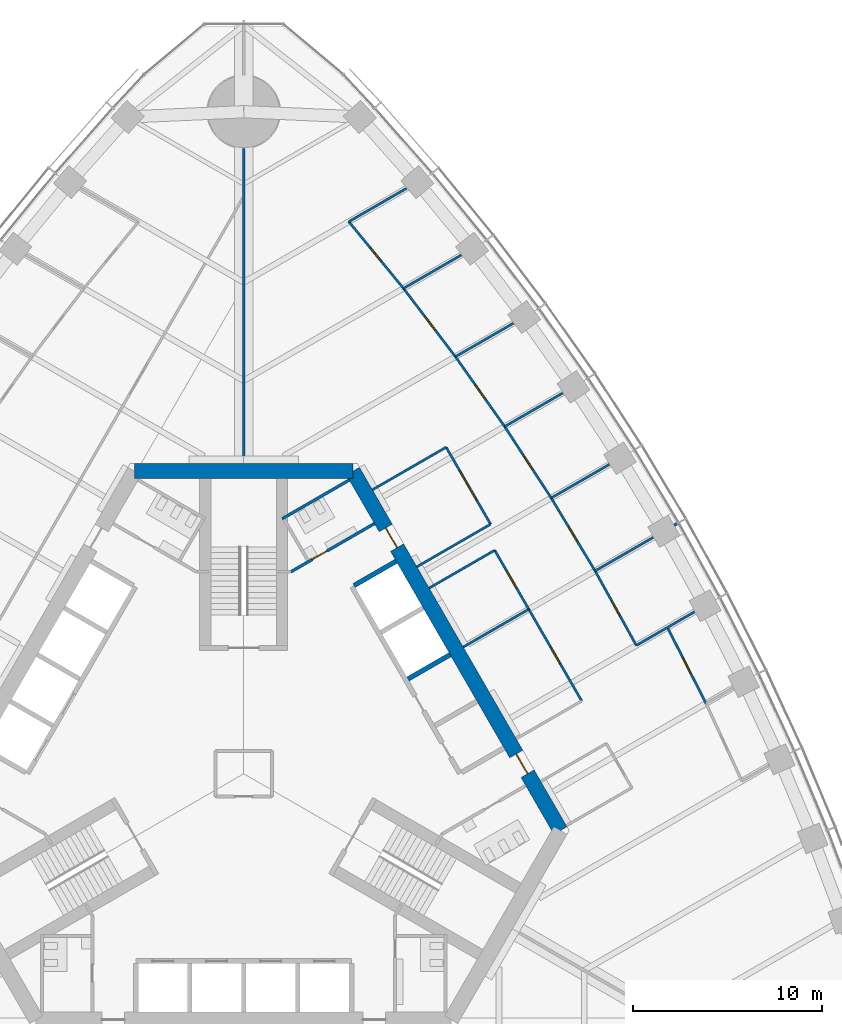
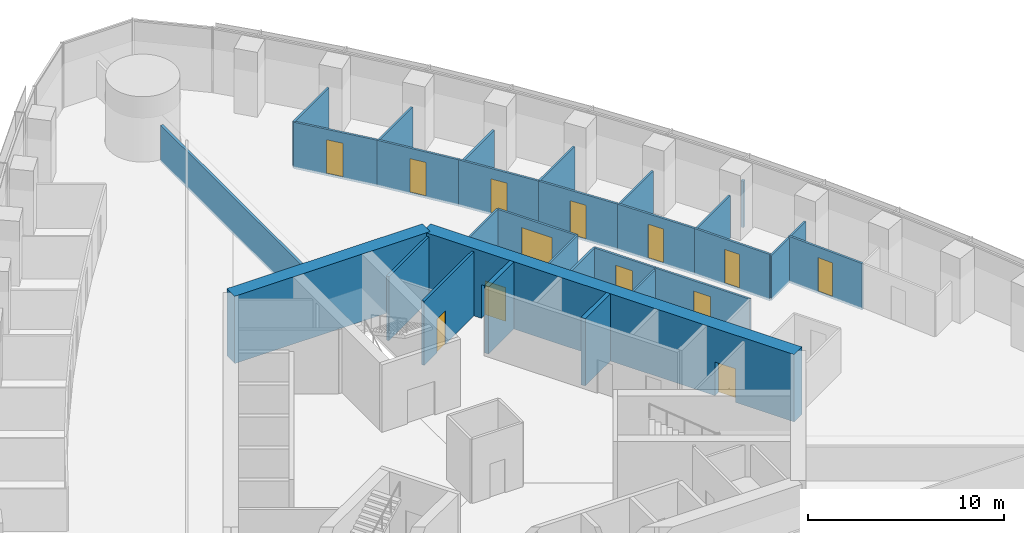
# One storey, part 15 of 21: 29 walls, 13 doors, 13 openings.
"""IFC4 building model written with IfcOpenShell, lengths in metres."""

from ifc_helpers import new_model, si_unit, direction, frame, frame_2d, origin, place, context, subcontext, project, spatial, rectangle, extrude, material, layer, layer_set, type_object, element, fill, save


model = new_model("IFC4")

# Units and contexts
model_context = context("Model", 3, precision=1e-05, world=origin(), true_north=direction((0.0, 1.0)))
body_context = subcontext(model_context, "Body", "Model", "MODEL_VIEW")
ifc_project = project(units=[si_unit("LENGTHUNIT", "METRE"), si_unit("AREAUNIT", "SQUARE_METRE"), si_unit("VOLUMEUNIT", "CUBIC_METRE"), si_unit("PLANEANGLEUNIT", "RADIAN"), si_unit("MASSUNIT", "GRAM", prefix="KILO")], contexts=[model_context])

# Site, building, storey
site_placement = place(None, origin())
site = spatial("IfcSite", under=ifc_project, at=site_placement, CompositionType="ELEMENT")
building_placement = place(site_placement, origin())
building = spatial("IfcBuilding", under=site, at=building_placement, Name="Trefoil Bronze Tower", CompositionType="ELEMENT")
storey_placement = place(building_placement, frame((0.0, 0.0, 153.5)))
storey = spatial("IfcBuildingStorey", under=building, at=storey_placement, Name="L35", CompositionType="ELEMENT", Elevation=153.5)

# Wall, openings, doors
ifc_material_1 = material(Name="Concrete B80", Category="concrete")
ifc_layer_1 = layer(ifc_material_1, 0.800048828125)
ifc_layer_set_1 = layer_set([ifc_layer_1], Name="Core wall 800")
wall_type_1 = type_object("IfcWallType", Name="Core wall 800", PredefinedType="SHEAR", material=ifc_layer_set_1)
wall_1_placement = place(storey_placement, frame((16.7431640625, -3.0, 0.0), z_axis=(0.0, 0.0, 1.0), x_axis=(-0.500002442456, 0.866023993627, 0.0)))
wall_1 = element("IfcWall", 1, at=wall_1_placement, inside=storey, type_object=wall_type_1, Name="Core long wall 2 L35", PredefinedType="SHEAR", context=body_context, shape_type="SweptSolid", body=[
    extrude(rectangle(XDim=21.939453125, YDim=0.800048828125, at=frame_2d((10.9697265625, 0.0))), origin(), (0.0, 0.0, 1.0), 4.199951171875),
])
opening_1_placement = place(wall_1_placement, frame((17.269775390625, 0.0, 0.0)))
opening_1 = element("IfcOpeningElement", 2, at=opening_1_placement, cuts=wall_1, Name="Opening D2", PredefinedType="OPENING", context=body_context, shape_type="SweptSolid", body=[
    extrude(rectangle(XDim=1.199951171875, YDim=2.10009765625, at=frame_2d((0.60009765625, 1.050048828125))), frame((0.0, 0.409912109375, 0.0), z_axis=(0.0, -1.0, 0.0), x_axis=(1.0, 0.0, 0.0)), (0.0, 0.0, 1.0), 0.820068359375),
])
opening_2_placement = place(wall_1_placement, frame((3.4697265625, 0.0, 0.0)))
opening_2 = element("IfcOpeningElement", 3, at=opening_2_placement, cuts=wall_1, Name="Opening D2", PredefinedType="OPENING", context=body_context, shape_type="SweptSolid", body=[
    extrude(rectangle(XDim=1.199951171875, YDim=2.10009765625, at=frame_2d((0.60009765625, 1.050048828125))), frame((0.0, 0.409912109375, 0.0), z_axis=(0.0, -1.0, 0.0), x_axis=(1.0, 0.0, 0.0)), (0.0, 0.0, 1.0), 0.820068359375),
])
ifc_material_2 = material(Name="Steel door", Category="steel")
door_type_1 = type_object("IfcDoorType", Name="Lobby door 1200", OperationType="SINGLE_SWING_RIGHT", PredefinedType="DOOR", material=ifc_material_2)
door_1_placement = place(opening_1_placement, origin())
door_1 = element("IfcDoor", 4, at=door_1_placement, inside=storey, type_object=door_type_1, Name="Lobby door F2+ L35", OperationType="SINGLE_SWING_RIGHT", OverallHeight=2.10009765625, OverallWidth=1.199951171875, PredefinedType="DOOR", context=body_context, shape_type="SweptSolid", body=[
    extrude(rectangle(XDim=1.199951171875, YDim=2.10009765625, at=frame_2d((0.60009765625, 1.050048828125))), frame((0.0, 0.02490234375, 0.0), z_axis=(0.0, -1.0, 0.0), x_axis=(1.0, 0.0, 0.0)), (0.0, 0.0, 1.0), 0.050048828125),
])
fill(opening_1, door_1)
door_2_placement = place(opening_2_placement, origin())
door_2 = element("IfcDoor", 5, at=door_2_placement, inside=storey, type_object=door_type_1, Name="Lobby door F2- L35", OperationType="SINGLE_SWING_LEFT", OverallHeight=2.10009765625, OverallWidth=1.199951171875, PredefinedType="DOOR", context=body_context, shape_type="SweptSolid", body=[
    extrude(rectangle(XDim=1.199951171875, YDim=2.10009765625, at=frame_2d((0.60009765625, 1.050048828125))), frame((0.0, 0.02490234375, 0.0), z_axis=(0.0, -1.0, 0.0), x_axis=(1.0, 0.0, 0.0)), (0.0, 0.0, 1.0), 0.050048828125),
])
fill(opening_2, door_2)

# Wall
wall_2_placement = place(storey_placement, frame((5.7734375, 16.0, 0.0), z_axis=(0.0, 0.0, 1.0), x_axis=(-1.0, 0.0, 0.0)))
element("IfcWall", 6, at=wall_2_placement, inside=storey, type_object=wall_type_1, Name="Core short wall 2 L35", PredefinedType="SHEAR", context=body_context, shape_type="SweptSolid", body=[
    extrude(rectangle(XDim=11.546875, YDim=0.800048828125, at=frame_2d((5.7734375, 0.0))), origin(), (0.0, 0.0, 1.0), 4.199951171875),
])

# Wall, opening, door
ifc_material_3 = material(Name="Glazed partition", Category="glass")
ifc_layer_2 = layer(ifc_material_3, 0.1201171875)
ifc_layer_set_2 = layer_set([ifc_layer_2], Name="Glazed partition 120")
wall_type_2 = type_object("IfcWallType", Name="Glazed partition 120", PredefinedType="PARTITIONING", material=ifc_layer_set_2)
wall_3_placement = place(storey_placement, frame((13.0517578125, 13.193603515625, 0.0), z_axis=(0.0, 0.0, 1.0), x_axis=(-0.499977259774, 0.866038532462, 0.0)))
wall_3 = element("IfcWall", 7, at=wall_3_placement, inside=storey, type_object=wall_type_2, Name="Partition F2 L35", PredefinedType="PARTITIONING", context=body_context, shape_type="SweptSolid", body=[
    extrude(rectangle(XDim=4.699951171875, YDim=0.1201171875, at=frame_2d((2.35009765625, 0.0))), origin(), (0.0, 0.0, 1.0), 2.89990234375),
])
opening_3_placement = place(wall_3_placement, frame((1.449951171875, 0.0, 0.14990234375)))
opening_3 = element("IfcOpeningElement", 8, at=opening_3_placement, cuts=wall_3, Name="Opening D10", PredefinedType="OPENING", context=body_context, shape_type="SweptSolid", body=[
    extrude(rectangle(XDim=1.800048828125, YDim=2.10009765625, at=frame_2d((0.89990234375, 1.050048828125))), frame((0.0, 0.070068359375, 0.0), z_axis=(0.0, -1.0, 0.0), x_axis=(1.0, 0.0, 0.0)), (0.0, 0.0, 1.0), 0.14013671875),
])
ifc_material_4 = material(Name="Timber door", Category="wood")
door_type_2 = type_object("IfcDoorType", Name="Double door 1800", OperationType="DOUBLE_DOOR_SINGLE_SWING", PredefinedType="DOOR", material=ifc_material_4)
door_3_placement = place(opening_3_placement, origin())
door_3 = element("IfcDoor", 9, at=door_3_placement, inside=storey, type_object=door_type_2, Name="Reception door F2 L35", OperationType="DOUBLE_DOOR_SINGLE_SWING", OverallHeight=2.10009765625, OverallWidth=1.800048828125, PredefinedType="DOOR", context=body_context, shape_type="SweptSolid", body=[
    extrude(rectangle(XDim=1.800048828125, YDim=2.10009765625, at=frame_2d((0.89990234375, 1.050048828125))), frame((0.0, 0.02490234375, 0.0), z_axis=(0.0, -1.0, 0.0), x_axis=(1.0, 0.0, 0.0)), (0.0, 0.0, 1.0), 0.050048828125),
])
fill(opening_3, door_3)

wall_4_placement = place(storey_placement, frame((15.06884765625, 8.699951171875, 0.0), z_axis=(0.0, 0.0, 1.0), x_axis=(-0.500012057535, 0.866018442252, 0.0)))
wall_4 = element("IfcWall", 10, at=wall_4_placement, inside=storey, type_object=wall_type_2, Name="Partition F2 L35", PredefinedType="PARTITIONING", context=body_context, shape_type="SweptSolid", body=[
    extrude(rectangle(XDim=3.60009765625, YDim=0.1201171875, at=frame_2d((1.800048828125, 0.0))), origin(), (0.0, 0.0, 1.0), 2.89990234375),
])
opening_4_placement = place(wall_4_placement, frame((1.300048828125, 0.0, 0.14990234375)))
opening_4 = element("IfcOpeningElement", 11, at=opening_4_placement, cuts=wall_4, Name="Opening D9", PredefinedType="OPENING", context=body_context, shape_type="SweptSolid", body=[
    extrude(rectangle(XDim=1.0, YDim=2.10009765625, at=frame_2d((0.5, 1.050048828125))), frame((0.0, 0.070068359375, 0.0), z_axis=(0.0, -1.0, 0.0), x_axis=(1.0, 0.0, 0.0)), (0.0, 0.0, 1.0), 0.14013671875),
])
ifc_material_5 = material(Name="Glazed timber door", Category="wood")
door_type_3 = type_object("IfcDoorType", Name="Meeting room door 1000", OperationType="SINGLE_SWING_LEFT", PredefinedType="DOOR", material=ifc_material_5)
door_4_placement = place(opening_4_placement, origin())
door_4 = element("IfcDoor", 12, at=door_4_placement, inside=storey, type_object=door_type_3, Name="Meeting room door F2 L35", OperationType="SINGLE_SWING_LEFT", OverallHeight=2.10009765625, OverallWidth=1.0, PredefinedType="DOOR", context=body_context, shape_type="SweptSolid", body=[
    extrude(rectangle(XDim=1.0, YDim=2.10009765625, at=frame_2d((0.5, 1.050048828125))), frame((0.0, 0.02490234375, 0.0), z_axis=(0.0, -1.0, 0.0), x_axis=(1.0, 0.0, 0.0)), (0.0, 0.0, 1.0), 0.050048828125),
])
fill(opening_4, door_4)

wall_5_placement = place(storey_placement, frame((17.868896484375, 3.850341796875, 0.0), z_axis=(0.0, 0.0, 1.0), x_axis=(-0.500016814911, 0.866015695474, 0.0)))
wall_5 = element("IfcWall", 13, at=wall_5_placement, inside=storey, type_object=wall_type_2, Name="Partition F2 L35", PredefinedType="PARTITIONING", context=body_context, shape_type="SweptSolid", body=[
    extrude(rectangle(XDim=5.599853515625, YDim=0.1201171875, at=frame_2d((2.7998046875, 0.0))), origin(), (0.0, 0.0, 1.0), 2.89990234375),
])
opening_5_placement = place(wall_5_placement, frame((2.300048828125, 0.0, 0.14990234375)))
opening_5 = element("IfcOpeningElement", 14, at=opening_5_placement, cuts=wall_5, Name="Opening D9", PredefinedType="OPENING", context=body_context, shape_type="SweptSolid", body=[
    extrude(rectangle(XDim=1.0, YDim=2.10009765625, at=frame_2d((0.5, 1.050048828125))), frame((0.0, 0.070068359375, 0.0), z_axis=(0.0, -1.0, 0.0), x_axis=(1.0, 0.0, 0.0)), (0.0, 0.0, 1.0), 0.14013671875),
])
door_5_placement = place(opening_5_placement, origin())
door_5 = element("IfcDoor", 15, at=door_5_placement, inside=storey, type_object=door_type_3, Name="Meeting room door F2 L35", OperationType="SINGLE_SWING_RIGHT", OverallHeight=2.10009765625, OverallWidth=1.0, PredefinedType="DOOR", context=body_context, shape_type="SweptSolid", body=[
    extrude(rectangle(XDim=1.0, YDim=2.10009765625, at=frame_2d((0.5, 1.050048828125))), frame((0.0, 0.02490234375, 0.0), z_axis=(0.0, -1.0, 0.0), x_axis=(1.0, 0.0, 0.0)), (0.0, 0.0, 1.0), 0.050048828125),
])
fill(opening_5, door_5)

# Walls
wall_6_placement = place(storey_placement, frame((9.8046875, 9.817626953125, 0.0), z_axis=(0.0, 0.0, 1.0), x_axis=(0.866026010844, 0.49999894854, 0.0)))
element("IfcWall", 16, at=wall_6_placement, inside=storey, type_object=wall_type_2, Name="Partition F2 L35", PredefinedType="PARTITIONING", context=body_context, shape_type="SweptSolid", body=[
    extrude(rectangle(XDim=4.0, YDim=0.1201171875, at=frame_2d((2.0, 0.0))), origin(), (0.0, 0.0, 1.0), 2.89990234375),
])
wall_7_placement = place(storey_placement, frame((9.15478515625, 10.943603515625, 0.0), z_axis=(0.0, 0.0, 1.0), x_axis=(0.866017533419, 0.500013631625, 0.0)))
element("IfcWall", 17, at=wall_7_placement, inside=storey, type_object=wall_type_2, Name="Partition F2 L35", PredefinedType="PARTITIONING", context=body_context, shape_type="SweptSolid", body=[
    extrude(rectangle(XDim=4.499755859375, YDim=0.1201171875, at=frame_2d((2.25, 0.0))), origin(), (0.0, 0.0, 1.0), 2.89990234375),
])
wall_8_placement = place(storey_placement, frame((6.8046875, 15.013916015625, 0.0), z_axis=(0.0, 0.0, 1.0), x_axis=(0.866031096941, 0.499990139034, 0.0)))
element("IfcWall", 18, at=wall_8_placement, inside=storey, type_object=wall_type_2, Name="Partition F2 L35", PredefinedType="PARTITIONING", context=body_context, shape_type="SweptSolid", body=[
    extrude(rectangle(XDim=4.5, YDim=0.1201171875, at=frame_2d((2.25, 0.0))), origin(), (0.0, 0.0, 1.0), 2.89990234375),
])
wall_9_placement = place(storey_placement, frame((11.604736328125, 6.699951171875, 0.0), z_axis=(0.0, 0.0, 1.0), x_axis=(0.866026010844, 0.49999894854, 0.0)))
element("IfcWall", 19, at=wall_9_placement, inside=storey, type_object=wall_type_2, Name="Partition F2 L35", PredefinedType="PARTITIONING", context=body_context, shape_type="SweptSolid", body=[
    extrude(rectangle(XDim=4.0, YDim=0.1201171875, at=frame_2d((2.0, 0.0))), origin(), (0.0, 0.0, 1.0), 2.800048828125),
])

# Wall, opening, door
wall_10_placement = place(storey_placement, frame((18.575927734375, 10.724853515625, 0.0), z_axis=(0.0, 0.0, 1.0), x_axis=(-0.515548366618, 0.856860479703, 0.0)))
wall_10 = element("IfcWall", 20, at=wall_10_placement, inside=storey, type_object=wall_type_2, Name="Partition F2 L35", PredefinedType="PARTITIONING", context=body_context, shape_type="SweptSolid", body=[
    extrude(rectangle(XDim=4.500732421875, YDim=0.1201171875, at=frame_2d((2.25048828125, 0.0))), origin(), (0.0, 0.0, 1.0), 2.89990234375),
])
opening_6_placement = place(wall_10_placement, frame((1.800048828125, 0.0, 0.14990234375)))
opening_6 = element("IfcOpeningElement", 21, at=opening_6_placement, cuts=wall_10, Name="Opening D8", PredefinedType="OPENING", context=body_context, shape_type="SweptSolid", body=[
    extrude(rectangle(XDim=0.89990234375, YDim=2.10009765625, at=frame_2d((0.449951171875, 1.050048828125))), frame((0.0, 0.070068359375, 0.0), z_axis=(0.0, -1.0, 0.0), x_axis=(1.0, 0.0, 0.0)), (0.0, 0.0, 1.0), 0.14013671875),
])
ifc_material_6 = material(Name="Timber door", Category="wood")
door_type_4 = type_object("IfcDoorType", Name="Office door 900", OperationType="SINGLE_SWING_LEFT", PredefinedType="DOOR", material=ifc_material_6)
door_6_placement = place(opening_6_placement, frame((0.89990234375, 0.0, 0.0), z_axis=(0.0, 0.0, 1.0), x_axis=(-1.0, 0.0, 0.0)))
door_6 = element("IfcDoor", 22, at=door_6_placement, inside=storey, type_object=door_type_4, Name="Office door F2 L35", OperationType="SINGLE_SWING_RIGHT", OverallHeight=2.10009765625, OverallWidth=0.89990234375, PredefinedType="DOOR", context=body_context, shape_type="SweptSolid", body=[
    extrude(rectangle(XDim=0.89990234375, YDim=2.10009765625, at=frame_2d((0.449951171875, 1.050048828125))), frame((0.0, 0.02490234375, 0.0), z_axis=(0.0, -1.0, 0.0), x_axis=(1.0, 0.0, 0.0)), (0.0, 0.0, 1.0), 0.050048828125),
])
fill(opening_6, door_6)

wall_11_placement = place(storey_placement, frame((11.192138671875, 22.05029296875, 0.0), z_axis=(0.0, 0.0, 1.0), x_axis=(-0.605274299339, 0.796016973789, 0.0)))
wall_11 = element("IfcWall", 23, at=wall_11_placement, inside=storey, type_object=wall_type_2, Name="Partition F2 L35", PredefinedType="PARTITIONING", context=body_context, shape_type="SweptSolid", body=[
    extrude(rectangle(XDim=4.5361328125, YDim=0.1201171875, at=frame_2d((2.26806640625, 0.0))), origin(), (0.0, 0.0, 1.0), 2.89990234375),
])
opening_7_placement = place(wall_11_placement, frame((1.800048828125, 0.0, 0.14990234375)))
opening_7 = element("IfcOpeningElement", 24, at=opening_7_placement, cuts=wall_11, Name="Opening D8", PredefinedType="OPENING", context=body_context, shape_type="SweptSolid", body=[
    extrude(rectangle(XDim=0.89990234375, YDim=2.10009765625, at=frame_2d((0.449951171875, 1.050048828125))), frame((0.0, 0.070068359375, 0.0), z_axis=(0.0, -1.0, 0.0), x_axis=(1.0, 0.0, 0.0)), (0.0, 0.0, 1.0), 0.14013671875),
])
door_7_placement = place(opening_7_placement, frame((0.89990234375, 0.0, 0.0), z_axis=(0.0, 0.0, 1.0), x_axis=(-1.0, 0.0, 0.0)))
door_7 = element("IfcDoor", 25, at=door_7_placement, inside=storey, type_object=door_type_4, Name="Office door F2 L35", OperationType="SINGLE_SWING_RIGHT", OverallHeight=2.10009765625, OverallWidth=0.89990234375, PredefinedType="DOOR", context=body_context, shape_type="SweptSolid", body=[
    extrude(rectangle(XDim=0.89990234375, YDim=2.10009765625, at=frame_2d((0.449951171875, 1.050048828125))), frame((0.0, 0.02490234375, 0.0), z_axis=(0.0, -1.0, 0.0), x_axis=(1.0, 0.0, 0.0)), (0.0, 0.0, 1.0), 0.050048828125),
])
fill(opening_7, door_7)

wall_12_placement = place(storey_placement, frame((8.446533203125, 25.6611328125, 0.0), z_axis=(0.0, 0.0, 1.0), x_axis=(-0.633843962561, 0.773460943503, 0.0)))
wall_12 = element("IfcWall", 26, at=wall_12_placement, inside=storey, type_object=wall_type_2, Name="Partition F2 L35", PredefinedType="PARTITIONING", context=body_context, shape_type="SweptSolid", body=[
    extrude(rectangle(XDim=4.560546875, YDim=0.1201171875, at=frame_2d((2.2802734375, 0.0))), origin(), (0.0, 0.0, 1.0), 2.89990234375),
])
opening_8_placement = place(wall_12_placement, frame((1.85009765625, 0.0, 0.14990234375)))
opening_8 = element("IfcOpeningElement", 27, at=opening_8_placement, cuts=wall_12, Name="Opening D8", PredefinedType="OPENING", context=body_context, shape_type="SweptSolid", body=[
    extrude(rectangle(XDim=0.89990234375, YDim=2.10009765625, at=frame_2d((0.449951171875, 1.050048828125))), frame((0.0, 0.070068359375, 0.0), z_axis=(0.0, -1.0, 0.0), x_axis=(1.0, 0.0, 0.0)), (0.0, 0.0, 1.0), 0.14013671875),
])
door_8_placement = place(opening_8_placement, frame((0.89990234375, 0.0, 0.0), z_axis=(0.0, 0.0, 1.0), x_axis=(-1.0, 0.0, 0.0)))
door_8 = element("IfcDoor", 28, at=door_8_placement, inside=storey, type_object=door_type_4, Name="Office door F2 L35", OperationType="SINGLE_SWING_LEFT", OverallHeight=2.10009765625, OverallWidth=0.89990234375, PredefinedType="DOOR", context=body_context, shape_type="SweptSolid", body=[
    extrude(rectangle(XDim=0.89990234375, YDim=2.10009765625, at=frame_2d((0.449951171875, 1.050048828125))), frame((0.0, 0.02490234375, 0.0), z_axis=(0.0, -1.0, 0.0), x_axis=(1.0, 0.0, 0.0)), (0.0, 0.0, 1.0), 0.050048828125),
])
fill(opening_8, door_8)

wall_13_placement = place(storey_placement, frame((16.255615234375, 14.581298828125, 0.0), z_axis=(0.0, 0.0, 1.0), x_axis=(-0.546069464151, 0.837739900161, 0.0)))
wall_13 = element("IfcWall", 29, at=wall_13_placement, inside=storey, type_object=wall_type_2, Name="Partition F2 L35", PredefinedType="PARTITIONING", context=body_context, shape_type="SweptSolid", body=[
    extrude(rectangle(XDim=4.506591796875, YDim=0.1201171875, at=frame_2d((2.25341796875, 0.0))), origin(), (0.0, 0.0, 1.0), 2.89990234375),
])
opening_9_placement = place(wall_13_placement, frame((1.800048828125, 0.0, 0.14990234375)))
opening_9 = element("IfcOpeningElement", 30, at=opening_9_placement, cuts=wall_13, Name="Opening D8", PredefinedType="OPENING", context=body_context, shape_type="SweptSolid", body=[
    extrude(rectangle(XDim=0.89990234375, YDim=2.10009765625, at=frame_2d((0.449951171875, 1.050048828125))), frame((0.0, 0.070068359375, 0.0), z_axis=(0.0, -1.0, 0.0), x_axis=(1.0, 0.0, 0.0)), (0.0, 0.0, 1.0), 0.14013671875),
])
door_9_placement = place(opening_9_placement, frame((0.89990234375, 0.0, 0.0), z_axis=(0.0, 0.0, 1.0), x_axis=(-1.0, 0.0, 0.0)))
door_9 = element("IfcDoor", 31, at=door_9_placement, inside=storey, type_object=door_type_4, Name="Office door F2 L35", OperationType="SINGLE_SWING_RIGHT", OverallHeight=2.10009765625, OverallWidth=0.89990234375, PredefinedType="DOOR", context=body_context, shape_type="SweptSolid", body=[
    extrude(rectangle(XDim=0.89990234375, YDim=2.10009765625, at=frame_2d((0.449951171875, 1.050048828125))), frame((0.0, 0.02490234375, 0.0), z_axis=(0.0, -1.0, 0.0), x_axis=(1.0, 0.0, 0.0)), (0.0, 0.0, 1.0), 0.050048828125),
])
fill(opening_9, door_9)

wall_14_placement = place(storey_placement, frame((13.794677734375, 18.356689453125, 0.0), z_axis=(0.0, 0.0, 1.0), x_axis=(-0.575987178736, 0.817458726745, 0.0)))
wall_14 = element("IfcWall", 32, at=wall_14_placement, inside=storey, type_object=wall_type_2, Name="Partition F2 L35", PredefinedType="PARTITIONING", context=body_context, shape_type="SweptSolid", body=[
    extrude(rectangle(XDim=4.518310546875, YDim=0.1201171875, at=frame_2d((2.25927734375, 0.0))), origin(), (0.0, 0.0, 1.0), 2.89990234375),
])
opening_10_placement = place(wall_14_placement, frame((1.800048828125, 0.0, 0.14990234375)))
opening_10 = element("IfcOpeningElement", 33, at=opening_10_placement, cuts=wall_14, Name="Opening D8", PredefinedType="OPENING", context=body_context, shape_type="SweptSolid", body=[
    extrude(rectangle(XDim=0.89990234375, YDim=2.10009765625, at=frame_2d((0.449951171875, 1.050048828125))), frame((0.0, 0.070068359375, 0.0), z_axis=(0.0, -1.0, 0.0), x_axis=(1.0, 0.0, 0.0)), (0.0, 0.0, 1.0), 0.14013671875),
])
door_10_placement = place(opening_10_placement, frame((0.89990234375, 0.0, 0.0), z_axis=(0.0, 0.0, 1.0), x_axis=(-1.0, 0.0, 0.0)))
door_10 = element("IfcDoor", 34, at=door_10_placement, inside=storey, type_object=door_type_4, Name="Office door F2 L35", OperationType="SINGLE_SWING_RIGHT", OverallHeight=2.10009765625, OverallWidth=0.89990234375, PredefinedType="DOOR", context=body_context, shape_type="SweptSolid", body=[
    extrude(rectangle(XDim=0.89990234375, YDim=2.10009765625, at=frame_2d((0.449951171875, 1.050048828125))), frame((0.0, 0.02490234375, 0.0), z_axis=(0.0, -1.0, 0.0), x_axis=(1.0, 0.0, 0.0)), (0.0, 0.0, 1.0), 0.050048828125),
])
fill(opening_10, door_10)

wall_15_placement = place(storey_placement, frame((20.755615234375, 6.787109375, 0.0), z_axis=(0.0, 0.0, 1.0), x_axis=(-0.484292898211, 0.874905931368, 0.0)))
wall_15 = element("IfcWall", 35, at=wall_15_placement, inside=storey, type_object=wall_type_2, Name="Partition F2 L35", PredefinedType="PARTITIONING", context=body_context, shape_type="SweptSolid", body=[
    extrude(rectangle(XDim=4.500732421875, YDim=0.1201171875, at=frame_2d((2.25048828125, 0.0))), origin(), (0.0, 0.0, 1.0), 2.89990234375),
])
opening_11_placement = place(wall_15_placement, frame((1.800048828125, 0.0, 0.14990234375)))
opening_11 = element("IfcOpeningElement", 36, at=opening_11_placement, cuts=wall_15, Name="Opening D8", PredefinedType="OPENING", context=body_context, shape_type="SweptSolid", body=[
    extrude(rectangle(XDim=0.89990234375, YDim=2.10009765625, at=frame_2d((0.449951171875, 1.050048828125))), frame((0.0, 0.070068359375, 0.0), z_axis=(0.0, -1.0, 0.0), x_axis=(1.0, 0.0, 0.0)), (0.0, 0.0, 1.0), 0.14013671875),
])
door_11_placement = place(opening_11_placement, frame((0.89990234375, 0.0, 0.0), z_axis=(0.0, 0.0, 1.0), x_axis=(-1.0, 0.0, 0.0)))
door_11 = element("IfcDoor", 37, at=door_11_placement, inside=storey, type_object=door_type_4, Name="Office door F2 L35", OperationType="SINGLE_SWING_RIGHT", OverallHeight=2.10009765625, OverallWidth=0.89990234375, PredefinedType="DOOR", context=body_context, shape_type="SweptSolid", body=[
    extrude(rectangle(XDim=0.89990234375, YDim=2.10009765625, at=frame_2d((0.449951171875, 1.050048828125))), frame((0.0, 0.02490234375, 0.0), z_axis=(0.0, -1.0, 0.0), x_axis=(1.0, 0.0, 0.0)), (0.0, 0.0, 1.0), 0.050048828125),
])
fill(opening_11, door_11)

wall_16_placement = place(storey_placement, frame((24.440185546875, 3.71826171875, 0.0), z_axis=(0.0, 0.0, 1.0), x_axis=(-0.452471679136, 0.891778772779, 0.0)))
wall_16 = element("IfcWall", 38, at=wall_16_placement, inside=storey, type_object=wall_type_2, Name="Partition F2 L35", PredefinedType="PARTITIONING", context=body_context, shape_type="SweptSolid", body=[
    extrude(rectangle(XDim=4.506591796875, YDim=0.1201171875, at=frame_2d((2.25341796875, 0.0))), origin(), (0.0, 0.0, 1.0), 2.89990234375),
])
opening_12_placement = place(wall_16_placement, frame((1.800048828125, 0.0, 0.14990234375)))
opening_12 = element("IfcOpeningElement", 39, at=opening_12_placement, cuts=wall_16, Name="Opening D8", PredefinedType="OPENING", context=body_context, shape_type="SweptSolid", body=[
    extrude(rectangle(XDim=0.89990234375, YDim=2.10009765625, at=frame_2d((0.449951171875, 1.050048828125))), frame((0.0, 0.070068359375, 0.0), z_axis=(0.0, -1.0, 0.0), x_axis=(1.0, 0.0, 0.0)), (0.0, 0.0, 1.0), 0.14013671875),
])
door_12_placement = place(opening_12_placement, frame((0.89990234375, 0.0, 0.0), z_axis=(0.0, 0.0, 1.0), x_axis=(-1.0, 0.0, 0.0)))
door_12 = element("IfcDoor", 40, at=door_12_placement, inside=storey, type_object=door_type_4, Name="Print and store room door F2 L35", OperationType="SINGLE_SWING_RIGHT", OverallHeight=2.10009765625, OverallWidth=0.89990234375, PredefinedType="DOOR", context=body_context, shape_type="SweptSolid", body=[
    extrude(rectangle(XDim=0.89990234375, YDim=2.10009765625, at=frame_2d((0.449951171875, 1.050048828125))), frame((0.0, 0.02490234375, 0.0), z_axis=(0.0, -1.0, 0.0), x_axis=(1.0, 0.0, 0.0)), (0.0, 0.0, 1.0), 0.050048828125),
])
fill(opening_12, door_12)

# Walls
wall_17_placement = place(storey_placement, frame((18.575927734375, 10.724853515625, 0.0), z_axis=(0.0, 0.0, 1.0), x_axis=(0.866030760678, 0.499990721473, 0.0)))
element("IfcWall", 41, at=wall_17_placement, inside=storey, type_object=wall_type_2, Name="Partition F2 L35", PredefinedType="PARTITIONING", context=body_context, shape_type="SweptSolid", body=[
    extrude(rectangle(XDim=3.544921875, YDim=0.1201171875, at=frame_2d((1.7724609375, 0.0))), origin(), (0.0, 0.0, 1.0), 2.800048828125),
])
wall_18_placement = place(storey_placement, frame((11.192138671875, 22.05029296875, 0.0), z_axis=(0.0, 0.0, 1.0), x_axis=(0.86605108476, 0.499955516607, 0.0)))
element("IfcWall", 42, at=wall_18_placement, inside=storey, type_object=wall_type_2, Name="Partition F2 L35", PredefinedType="PARTITIONING", context=body_context, shape_type="SweptSolid", body=[
    extrude(rectangle(XDim=3.536376953125, YDim=0.1201171875, at=frame_2d((1.76806640625, 0.0))), origin(), (0.0, 0.0, 1.0), 2.60009765625),
])
wall_19_placement = place(storey_placement, frame((8.446533203125, 25.6611328125, 0.0), z_axis=(0.0, 0.0, 1.0), x_axis=(0.866025485263, 0.499999858875, 0.0)))
element("IfcWall", 43, at=wall_19_placement, inside=storey, type_object=wall_type_2, Name="Partition F2 L35", PredefinedType="PARTITIONING", context=body_context, shape_type="SweptSolid", body=[
    extrude(rectangle(XDim=3.52978515625, YDim=0.1201171875, at=frame_2d((1.764892578125, 0.0))), origin(), (0.0, 0.0, 1.0), 2.800048828125),
])
wall_20_placement = place(storey_placement, frame((5.555908203125, 29.1884765625, 0.0), z_axis=(0.0, 0.0, 1.0), x_axis=(0.866028552163, 0.499994546809, 0.0)))
element("IfcWall", 44, at=wall_20_placement, inside=storey, type_object=wall_type_2, Name="Partition F2 L35", PredefinedType="PARTITIONING", context=body_context, shape_type="SweptSolid", body=[
    extrude(rectangle(XDim=3.52099609375, YDim=0.1201171875, at=frame_2d((1.760498046875, 0.0))), origin(), (0.0, 0.0, 1.0), 2.89990234375),
])
wall_21_placement = place(storey_placement, frame((16.255615234375, 14.581298828125, 0.0), z_axis=(0.0, 0.0, 1.0), x_axis=(0.866008926066, 0.500028539159, 0.0)))
element("IfcWall", 45, at=wall_21_placement, inside=storey, type_object=wall_type_2, Name="Partition F2 L35", PredefinedType="PARTITIONING", context=body_context, shape_type="SweptSolid", body=[
    extrude(rectangle(XDim=3.544189453125, YDim=0.1201171875, at=frame_2d((1.77197265625, 0.0))), origin(), (0.0, 0.0, 1.0), 2.800048828125),
])
wall_22_placement = place(storey_placement, frame((13.794677734375, 18.356689453125, 0.0), z_axis=(0.0, 0.0, 1.0), x_axis=(0.866045526189, 0.499965145353, 0.0)))
element("IfcWall", 46, at=wall_22_placement, inside=storey, type_object=wall_type_2, Name="Partition F2 L35", PredefinedType="PARTITIONING", context=body_context, shape_type="SweptSolid", body=[
    extrude(rectangle(XDim=3.541259765625, YDim=0.1201171875, at=frame_2d((1.7705078125, 0.0))), origin(), (0.0, 0.0, 1.0), 2.89990234375),
])
wall_23_placement = place(storey_placement, frame((20.755615234375, 6.787109375, 0.0), z_axis=(0.0, 0.0, 1.0), x_axis=(0.866038754309, 0.499976875499, 0.0)))
element("IfcWall", 47, at=wall_23_placement, inside=storey, type_object=wall_type_2, Name="Partition F2 L35", PredefinedType="PARTITIONING", context=body_context, shape_type="SweptSolid", body=[
    extrude(rectangle(XDim=3.544189453125, YDim=0.1201171875, at=frame_2d((1.77197265625, 0.0))), origin(), (0.0, 0.0, 1.0), 2.800048828125),
])

# Wall, opening, door
ifc_material_7 = material(Name="Gypsum board on steel studs", Category="steel")
ifc_layer_3 = layer(ifc_material_7, 0.14990234375)
ifc_layer_set_3 = layer_set([ifc_layer_3], Name="Partition 150")
wall_type_3 = type_object("IfcWallType", Name="Partition 150", PredefinedType="PARTITIONING", material=ifc_layer_set_3)
wall_24_placement = place(storey_placement, frame((2.4951171875, 10.67822265625, 0.0), z_axis=(0.0, 0.0, 1.0), x_axis=(0.86602216432, 0.500005610874, 0.0)))
wall_24 = element("IfcWall", 48, at=wall_24_placement, inside=storey, type_object=wall_type_3, Name="Passage wall F2+ L35", PredefinedType="PARTITIONING", context=body_context, shape_type="SweptSolid", body=[
    extrude(rectangle(XDim=5.10009765625, YDim=0.14990234375, at=frame_2d((2.550048828125, 0.0))), origin(), (0.0, 0.0, 1.0), 4.0),
])
opening_13_placement = place(wall_24_placement, frame((1.300048828125, 0.0, 0.0)))
opening_13 = element("IfcOpeningElement", 49, at=opening_13_placement, cuts=wall_24, Name="Opening D3", PredefinedType="OPENING", context=body_context, shape_type="SweptSolid", body=[
    extrude(rectangle(XDim=0.89990234375, YDim=2.10009765625, at=frame_2d((0.449951171875, 1.050048828125))), frame((0.0, 0.0849609375, 0.0), z_axis=(0.0, -1.0, 0.0), x_axis=(1.0, 0.0, 0.0)), (0.0, 0.0, 1.0), 0.169921875),
])
ifc_material_8 = material(Name="Timber door", Category="wood")
door_type_5 = type_object("IfcDoorType", Name="WC door 900", OperationType="SINGLE_SWING_LEFT", PredefinedType="DOOR", material=ifc_material_8)
door_13_placement = place(opening_13_placement, origin())
door_13 = element("IfcDoor", 50, at=door_13_placement, inside=storey, type_object=door_type_5, Name="WC (men) door L35", OperationType="SINGLE_SWING_LEFT", OverallHeight=2.10009765625, OverallWidth=0.89990234375, PredefinedType="DOOR", context=body_context, shape_type="SweptSolid", body=[
    extrude(rectangle(XDim=0.89990234375, YDim=2.10009765625, at=frame_2d((0.449951171875, 1.050048828125))), frame((0.0, 0.02490234375, 0.0), z_axis=(0.0, -1.0, 0.0), x_axis=(1.0, 0.0, 0.0)), (0.0, 0.0, 1.0), 0.050048828125),
])
fill(opening_13, door_13)

# Walls
wall_25_placement = place(storey_placement, frame((2.03125, 13.48193359375, 0.0), z_axis=(0.0, 0.0, 1.0), x_axis=(0.866050731258, 0.499956128963, 0.0)))
element("IfcWall", 51, at=wall_25_placement, inside=storey, type_object=wall_type_3, Name="WC partition WC (men) L35", PredefinedType="PARTITIONING", context=body_context, shape_type="SweptSolid", body=[
    extrude(rectangle(XDim=4.099853515625, YDim=0.14990234375, at=frame_2d((2.0498046875, 0.0))), origin(), (0.0, 0.0, 1.0), 4.0),
])
wall_26_placement = place(storey_placement, frame((22.758056640625, 13.139404296875, 0.0), z_axis=(0.0, 0.0, 1.0), x_axis=(0.866063163075, 0.499934593286, 0.0)))
element("IfcWall", 52, at=wall_26_placement, inside=storey, type_object=wall_type_3, Name="Partition F2 L35", PredefinedType="PARTITIONING", context=body_context, shape_type="SweptSolid", body=[
    extrude(rectangle(XDim=0.166015625, YDim=0.14990234375, at=frame_2d((0.0830078125, 0.0))), origin(), (0.0, 0.0, 1.0), 2.89990234375),
])
ifc_material_9 = material(Name="Gypsum board on steel studs", Category="steel")
ifc_layer_4 = layer(ifc_material_9, 0.14990234375)
ifc_layer_set_4 = layer_set([ifc_layer_4], Name="Party wall 150")
wall_type_4 = type_object("IfcWallType", Name="Party wall 150", PredefinedType="PARTITIONING", material=ifc_layer_set_4)
wall_27_placement = place(storey_placement, frame((0.0, 16.39990234375, 0.0), z_axis=(0.0, 0.0, 1.0), x_axis=(0.0, 1.0, 0.0)))
element("IfcWall", 53, at=wall_27_placement, inside=storey, type_object=wall_type_4, Name="Party wall K2 L35", PredefinedType="PARTITIONING", context=body_context, shape_type="SweptSolid", body=[
    extrude(rectangle(XDim=16.650146484375, YDim=0.14990234375, at=frame_2d((8.3251953125, 0.0))), origin(), (0.0, 0.0, 1.0), 2.300048828125),
])
ifc_material_10 = material(Name="Concrete B80", Category="concrete")
ifc_layer_5 = layer(ifc_material_10, 0.25)
ifc_layer_set_5 = layer_set([ifc_layer_5], Name="Shaft wall 250")
wall_type_5 = type_object("IfcWallType", Name="Shaft wall 250", PredefinedType="SHEAR", material=ifc_layer_set_5)
wall_28_placement = place(storey_placement, frame((8.681884765625, 5.012451171875, 0.0), z_axis=(0.0, 0.0, 1.0), x_axis=(0.866005588531, 0.500034319456, 0.0)))
element("IfcWall", 54, at=wall_28_placement, inside=storey, type_object=wall_type_5, Name="Lift shaft side wall B2 L35", PredefinedType="SHEAR", context=body_context, shape_type="SweptSolid", body=[
    extrude(rectangle(XDim=2.574951171875, YDim=0.25, at=frame_2d((1.28759765625, 0.0))), origin(), (0.0, 0.0, 1.0), 4.199951171875),
])
wall_29_placement = place(storey_placement, frame((5.831787109375, 9.94873046875, 0.0), z_axis=(0.0, 0.0, 1.0), x_axis=(0.866029291668, 0.499993265928, 0.0)))
element("IfcWall", 55, at=wall_29_placement, inside=storey, type_object=wall_type_5, Name="Lift shaft side wall B4 L35", PredefinedType="SHEAR", context=body_context, shape_type="SweptSolid", body=[
    extrude(rectangle(XDim=2.5751953125, YDim=0.25, at=frame_2d((1.28759765625, 0.0))), origin(), (0.0, 0.0, 1.0), 4.199951171875),
])

save(model, "model.ifc")
